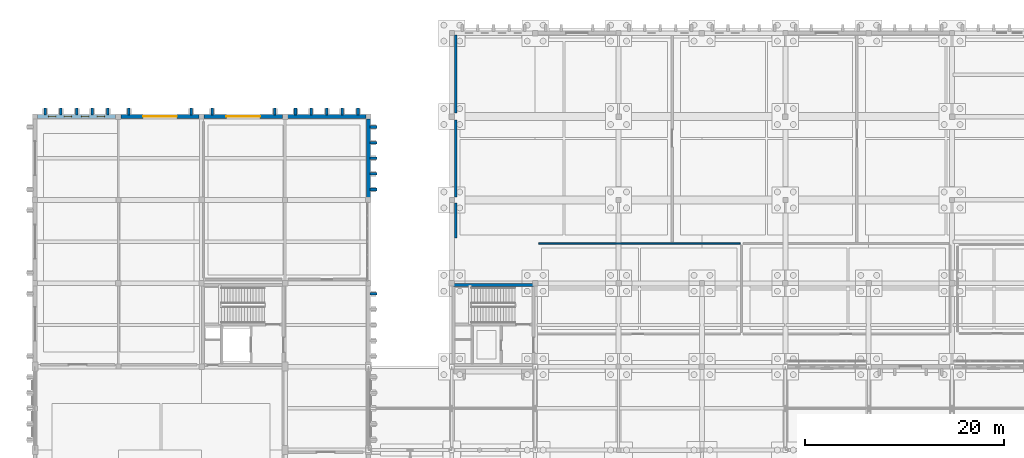
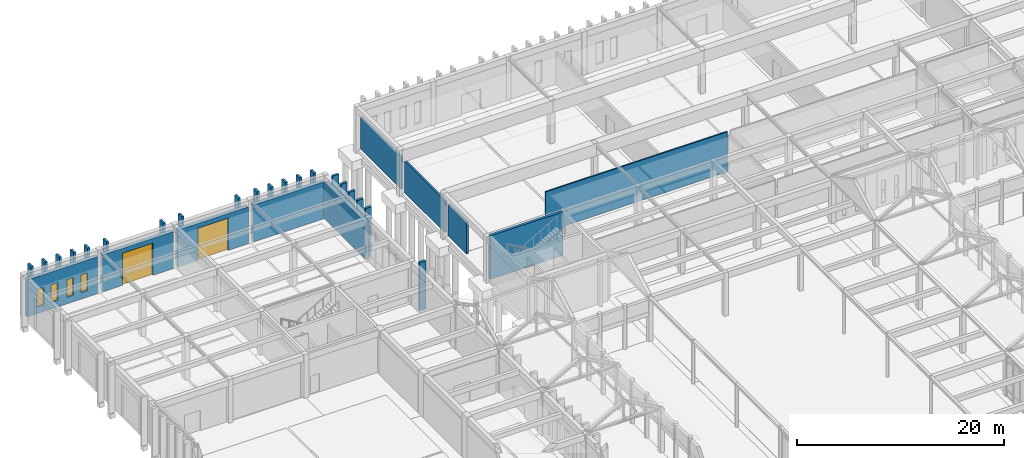
# One storey, part 117 of 143: 30 walls, 4 windows, 2 doors, 6 openings.
"""IFC4 building model written with IfcOpenShell, lengths in metres."""

from ifc_helpers import new_model, si_unit, direction, frame, frame_2d, origin, place, context, subcontext, project, spatial, rectangle, extrude, material, layer, layer_set, type_object, element, fill, save


model = new_model("IFC4")

# Units and contexts
model_context = context("Model", 3, precision=1e-05, world=origin(), true_north=direction((0.0, 1.0)))
body_context = subcontext(model_context, "Body", "Model", "MODEL_VIEW")
ifc_project = project(units=[si_unit("LENGTHUNIT", "METRE"), si_unit("AREAUNIT", "SQUARE_METRE"), si_unit("VOLUMEUNIT", "CUBIC_METRE"), si_unit("PLANEANGLEUNIT", "RADIAN"), si_unit("MASSUNIT", "GRAM", prefix="KILO")], contexts=[model_context])

# Site, building, storey
site_placement = place(None, origin())
site = spatial("IfcSite", under=ifc_project, at=site_placement, CompositionType="ELEMENT")
building_placement = place(site_placement, origin())
building = spatial("IfcBuilding", under=site, at=building_placement, Name="Kveldsbrygga Polytechnic", CompositionType="ELEMENT")
storey_placement = place(building_placement, origin())
storey = spatial("IfcBuildingStorey", under=building, at=storey_placement, Name="L00", CompositionType="ELEMENT", Elevation=0.0)

# Wall, openings, windows
ifc_material_1 = material(Name="Fired clay brick masonry M10", Category="masonry")
ifc_layer_1 = layer(ifc_material_1, 0.419921875)
ifc_layer_set_1 = layer_set([ifc_layer_1], Name="Fired clay brick masonry M10")
wall_type_1 = type_object("IfcWallType", Name="EW-BRICK-420", PredefinedType="SOLIDWALL", material=ifc_layer_set_1)
wall_1_placement = place(storey_placement, frame((0.2451171875, 109.199951171875, 0.0), z_axis=(0.0, 0.0, 1.0), x_axis=(1.0, 0.0, 0.0)))
wall_1 = element("IfcWall", 1, at=wall_1_placement, inside=storey, type_object=wall_type_1, Name="Exterior Brick Wall EW-L00-X-00-13", PredefinedType="SOLIDWALL", context=body_context, shape_type="SweptSolid", body=[
    extrude(rectangle(XDim=7.894775390625, YDim=0.419921875, at=frame_2d((3.947265625, 0.0))), origin(), (0.0, 0.0, 1.0), 4.35009765625),
])
opening_1_placement = place(wall_1_placement, frame((1.125, 0.0, 0.75)))
opening_1 = element("IfcOpeningElement", 2, at=opening_1_placement, cuts=wall_1, Name="Opening W-27", PredefinedType="OPENING", context=body_context, shape_type="SweptSolid", body=[
    extrude(rectangle(XDim=0.75, YDim=2.10009765625, at=frame_2d((0.375, 1.050048828125))), frame((0.0, 0.219970703125, 0.0), z_axis=(0.0, -1.0, 0.0), x_axis=(1.0, 0.0, 0.0)), (0.0, 0.0, 1.0), 0.43994140625),
])
opening_2_placement = place(wall_1_placement, frame((2.7041015625, 0.0, 0.75)))
opening_2 = element("IfcOpeningElement", 3, at=opening_2_placement, cuts=wall_1, Name="Opening W-27", PredefinedType="OPENING", context=body_context, shape_type="SweptSolid", body=[
    extrude(rectangle(XDim=0.75, YDim=2.10009765625, at=frame_2d((0.375, 1.050048828125))), frame((0.0, 0.219970703125, 0.0), z_axis=(0.0, -1.0, 0.0), x_axis=(1.0, 0.0, 0.0)), (0.0, 0.0, 1.0), 0.43994140625),
])
opening_3_placement = place(wall_1_placement, frame((4.44091796875, 0.0, 0.75)))
opening_3 = element("IfcOpeningElement", 4, at=opening_3_placement, cuts=wall_1, Name="Opening W-27", PredefinedType="OPENING", context=body_context, shape_type="SweptSolid", body=[
    extrude(rectangle(XDim=0.75, YDim=2.10009765625, at=frame_2d((0.375, 1.050048828125))), frame((0.0, 0.219970703125, 0.0), z_axis=(0.0, -1.0, 0.0), x_axis=(1.0, 0.0, 0.0)), (0.0, 0.0, 1.0), 0.43994140625),
])
opening_4_placement = place(wall_1_placement, frame((6.02001953125, 0.0, 0.75)))
opening_4 = element("IfcOpeningElement", 5, at=opening_4_placement, cuts=wall_1, Name="Opening W-27", PredefinedType="OPENING", context=body_context, shape_type="SweptSolid", body=[
    extrude(rectangle(XDim=0.75, YDim=2.10009765625, at=frame_2d((0.375, 1.050048828125))), frame((0.0, 0.219970703125, 0.0), z_axis=(0.0, -1.0, 0.0), x_axis=(1.0, 0.0, 0.0)), (0.0, 0.0, 1.0), 0.43994140625),
])
ifc_material_2 = material(Name="Insulated triple low-E glass", Category="glass")
window_type = type_object("IfcWindowType", Name="WN-ATTIC-075x210", PartitioningType="DOUBLE_PANEL_VERTICAL", PredefinedType="WINDOW", material=ifc_material_2)
window_1_placement = place(opening_1_placement, origin())
window_1 = element("IfcWindow", 6, at=window_1_placement, inside=storey, type_object=window_type, Name="Gothic Lancet Window WIN-L00-X-00-13-1", OverallHeight=2.10009765625, OverallWidth=0.75, PartitioningType="DOUBLE_PANEL_VERTICAL", PredefinedType="WINDOW", context=body_context, shape_type="SweptSolid", body=[
    extrude(rectangle(XDim=0.75, YDim=2.10009765625, at=frame_2d((0.375, 1.050048828125))), frame((0.0, 0.030029296875, 0.0), z_axis=(0.0, -1.0, 0.0), x_axis=(1.0, 0.0, 0.0)), (0.0, 0.0, 1.0), 0.06005859375),
])
fill(opening_1, window_1)
window_2_placement = place(opening_2_placement, origin())
window_2 = element("IfcWindow", 7, at=window_2_placement, inside=storey, type_object=window_type, Name="Gothic Lancet Window WIN-L00-X-00-13-2", OverallHeight=2.10009765625, OverallWidth=0.75, PartitioningType="DOUBLE_PANEL_VERTICAL", PredefinedType="WINDOW", context=body_context, shape_type="SweptSolid", body=[
    extrude(rectangle(XDim=0.75, YDim=2.10009765625, at=frame_2d((0.375, 1.050048828125))), frame((0.0, 0.030029296875, 0.0), z_axis=(0.0, -1.0, 0.0), x_axis=(1.0, 0.0, 0.0)), (0.0, 0.0, 1.0), 0.06005859375),
])
fill(opening_2, window_2)
window_3_placement = place(opening_3_placement, origin())
window_3 = element("IfcWindow", 8, at=window_3_placement, inside=storey, type_object=window_type, Name="Gothic Lancet Window WIN-L00-X-00-13-3", OverallHeight=2.10009765625, OverallWidth=0.75, PartitioningType="DOUBLE_PANEL_VERTICAL", PredefinedType="WINDOW", context=body_context, shape_type="SweptSolid", body=[
    extrude(rectangle(XDim=0.75, YDim=2.10009765625, at=frame_2d((0.375, 1.050048828125))), frame((0.0, 0.030029296875, 0.0), z_axis=(0.0, -1.0, 0.0), x_axis=(1.0, 0.0, 0.0)), (0.0, 0.0, 1.0), 0.06005859375),
])
fill(opening_3, window_3)
window_4_placement = place(opening_4_placement, origin())
window_4 = element("IfcWindow", 9, at=window_4_placement, inside=storey, type_object=window_type, Name="Gothic Lancet Window WIN-L00-X-00-13-4", OverallHeight=2.10009765625, OverallWidth=0.75, PartitioningType="DOUBLE_PANEL_VERTICAL", PredefinedType="WINDOW", context=body_context, shape_type="SweptSolid", body=[
    extrude(rectangle(XDim=0.75, YDim=2.10009765625, at=frame_2d((0.375, 1.050048828125))), frame((0.0, 0.030029296875, 0.0), z_axis=(0.0, -1.0, 0.0), x_axis=(1.0, 0.0, 0.0)), (0.0, 0.0, 1.0), 0.06005859375),
])
fill(opening_4, window_4)

# Wall, opening, door
wall_2_placement = place(storey_placement, frame((8.659912109375, 109.199951171875, 0.0), z_axis=(0.0, 0.0, 1.0), x_axis=(1.0, 0.0, 0.0)))
wall_2 = element("IfcWall", 10, at=wall_2_placement, inside=storey, type_object=wall_type_1, Name="Exterior Brick Wall EW-L00-X-01-13", PredefinedType="SOLIDWALL", context=body_context, shape_type="SweptSolid", body=[
    extrude(rectangle(XDim=7.89501953125, YDim=0.419921875, at=frame_2d((3.947509765625, 0.0))), origin(), (0.0, 0.0, 1.0), 4.35009765625),
])
opening_5_placement = place(wall_2_placement, frame((2.24755859375, 0.0, 0.0)))
opening_5 = element("IfcOpeningElement", 11, at=opening_5_placement, cuts=wall_2, Name="Opening WG-06", PredefinedType="OPENING", context=body_context, shape_type="SweptSolid", body=[
    extrude(rectangle(XDim=3.39990234375, YDim=3.800048828125, at=frame_2d((1.699951171875, 1.89990234375))), frame((0.0, 0.219970703125, 0.0), z_axis=(0.0, -1.0, 0.0), x_axis=(1.0, 0.0, 0.0)), (0.0, 0.0, 1.0), 0.43994140625),
])
ifc_material_3 = material(Name="Anodised aluminium AW-6060", Category="aluminium")
door_type = type_object("IfcDoorType", Name="GT-LOAD-340x380", OperationType="DOUBLE_DOOR_SINGLE_SWING", PredefinedType="GATE", material=ifc_material_3)
door_1_placement = place(opening_5_placement, origin())
door_1 = element("IfcDoor", 12, at=door_1_placement, inside=storey, type_object=door_type, Name="Workshop Industrial Gate WG-06", OperationType="DOUBLE_DOOR_SINGLE_SWING", OverallHeight=3.800048828125, OverallWidth=3.39990234375, PredefinedType="GATE", context=body_context, shape_type="SweptSolid", body=[
    extrude(rectangle(XDim=3.39990234375, YDim=3.800048828125, at=frame_2d((1.699951171875, 1.89990234375))), frame((0.0, 0.02490234375, 0.0), z_axis=(0.0, -1.0, 0.0), x_axis=(1.0, 0.0, 0.0)), (0.0, 0.0, 1.0), 0.050048828125),
])
fill(opening_5, door_1)

wall_3_placement = place(storey_placement, frame((17.044921875, 109.199951171875, 0.0), z_axis=(0.0, 0.0, 1.0), x_axis=(1.0, 0.0, 0.0)))
wall_3 = element("IfcWall", 13, at=wall_3_placement, inside=storey, type_object=wall_type_1, Name="Exterior Brick Wall EW-L00-X-02-13", PredefinedType="SOLIDWALL", context=body_context, shape_type="SweptSolid", body=[
    extrude(rectangle(XDim=7.89501953125, YDim=0.419921875, at=frame_2d((3.947509765625, 0.0))), origin(), (0.0, 0.0, 1.0), 4.35009765625),
])
opening_6_placement = place(wall_3_placement, frame((2.24755859375, 0.0, 0.0)))
opening_6 = element("IfcOpeningElement", 14, at=opening_6_placement, cuts=wall_3, Name="Opening WG-07", PredefinedType="OPENING", context=body_context, shape_type="SweptSolid", body=[
    extrude(rectangle(XDim=3.39990234375, YDim=3.800048828125, at=frame_2d((1.699951171875, 1.89990234375))), frame((0.0, 0.219970703125, 0.0), z_axis=(0.0, -1.0, 0.0), x_axis=(1.0, 0.0, 0.0)), (0.0, 0.0, 1.0), 0.43994140625),
])
door_2_placement = place(opening_6_placement, origin())
door_2 = element("IfcDoor", 15, at=door_2_placement, inside=storey, type_object=door_type, Name="Workshop Industrial Gate WG-07", OperationType="DOUBLE_DOOR_SINGLE_SWING", OverallHeight=3.800048828125, OverallWidth=3.39990234375, PredefinedType="GATE", context=body_context, shape_type="SweptSolid", body=[
    extrude(rectangle(XDim=3.39990234375, YDim=3.800048828125, at=frame_2d((1.699951171875, 1.89990234375))), frame((0.0, 0.02490234375, 0.0), z_axis=(0.0, -1.0, 0.0), x_axis=(1.0, 0.0, 0.0)), (0.0, 0.0, 1.0), 0.050048828125),
])
fill(opening_6, door_2)

# Walls
for number, where, z_axis, x_axis, name in (
    (16, (25.4599609375, 109.199951171875, 0.0), (0.0, 0.0, 1.0), (1.0, 0.0, 0.0), "Exterior Brick Wall EW-L00-X-03-13"),
    (17, (33.60009765625, 101.06005859375, 0.0), (0.0, 0.0, 1.0), (0.0, 1.0, 0.0), "Exterior Brick Wall EW-L00-Y-04-12"),
):
    element("IfcWall", number, at=place(storey_placement, frame(where, z_axis=z_axis, x_axis=x_axis)), inside=storey, type_object=wall_type_1, Name=name, PredefinedType="SOLIDWALL", context=body_context, shape_type="SweptSolid", body=[
        extrude(rectangle(XDim=7.89501953125, YDim=0.419921875, at=frame_2d((3.947509765625, 0.0))), origin(), (0.0, 0.0, 1.0), 4.35009765625),
    ])
ifc_layer_2 = layer(ifc_material_1, 0.260009765625)
ifc_layer_set_2 = layer_set([ifc_layer_2], Name="Fired clay brick masonry M10")
wall_type_2 = type_object("IfcWallType", Name="EW-BUTT-260", PredefinedType="SOLIDWALL", material=ifc_layer_set_2)
for number, where, z_axis, x_axis, name in (
    (18, (1.050048828125, 109.364990234375, -0.25), (0.0, 0.0, 1.0), (0.0, 1.0, 0.0), "Gothic Brick Buttress Pier BUTT-L00-X-00-13-1"),
    (19, (2.6201171875, 109.364990234375, -0.25), (0.0, 0.0, 1.0), (0.0, 1.0, 0.0), "Gothic Brick Buttress Pier BUTT-L00-X-00-13-2"),
    (20, (4.199951171875, 109.364990234375, -0.25), (0.0, 0.0, 1.0), (0.0, 1.0, 0.0), "Gothic Brick Buttress Pier BUTT-L00-X-00-13-3"),
    (21, (5.780029296875, 109.364990234375, -0.25), (0.0, 0.0, 1.0), (0.0, 1.0, 0.0), "Gothic Brick Buttress Pier BUTT-L00-X-00-13-4"),
    (22, (7.35009765625, 109.364990234375, -0.25), (0.0, 0.0, 1.0), (0.0, 1.0, 0.0), "Gothic Brick Buttress Pier BUTT-L00-X-00-13-5"),
    (23, (9.449951171875, 109.364990234375, -0.25), (0.0, 0.0, 1.0), (0.0, 1.0, 0.0), "Gothic Brick Buttress Pier BUTT-L00-X-01-13-1"),
    (24, (15.75, 109.364990234375, -0.25), (0.0, 0.0, 1.0), (0.0, 1.0, 0.0), "Gothic Brick Buttress Pier BUTT-L00-X-01-13-5"),
    (25, (17.85009765625, 109.364990234375, -0.25), (0.0, 0.0, 1.0), (0.0, 1.0, 0.0), "Gothic Brick Buttress Pier BUTT-L00-X-02-13-1"),
    (26, (24.14990234375, 109.364990234375, -0.25), (0.0, 0.0, 1.0), (0.0, 1.0, 0.0), "Gothic Brick Buttress Pier BUTT-L00-X-02-13-5"),
):
    element("IfcWall", number, at=place(storey_placement, frame(where, z_axis=z_axis, x_axis=x_axis)), inside=storey, type_object=wall_type_2, Name=name, PredefinedType="SOLIDWALL", context=body_context, shape_type="SweptSolid", body=[
        extrude(rectangle(XDim=0.699951171875, YDim=0.260009765625, at=frame_2d((0.35009765625, 0.0))), origin(), (0.0, 0.0, 1.0), 5.68994140625),
    ])
wall_4_placement = place(storey_placement, frame((33.764892578125, 91.35009765625, -0.25), z_axis=(0.0, 0.0, 1.0), x_axis=(1.0, 0.0, 0.0)))
element("IfcWall", 27, at=wall_4_placement, inside=storey, type_object=wall_type_2, Name="Gothic Brick Buttress Pier BUTT-L00-Y-04-10-5", PredefinedType="SOLIDWALL", context=body_context, shape_type="SweptSolid", body=[
    extrude(rectangle(XDim=0.7001953125, YDim=0.260009765625, at=frame_2d((0.35009765625, 0.0))), origin(), (0.0, 0.0, 1.0), 5.68994140625),
])
for number, where, z_axis, x_axis, name in (
    (28, (26.25, 109.364990234375, -0.25), (0.0, 0.0, 1.0), (0.0, 1.0, 0.0), "Gothic Brick Buttress Pier BUTT-L00-X-03-13-1"),
    (29, (27.820068359375, 109.364990234375, -0.25), (0.0, 0.0, 1.0), (0.0, 1.0, 0.0), "Gothic Brick Buttress Pier BUTT-L00-X-03-13-2"),
    (30, (29.39990234375, 109.364990234375, -0.25), (0.0, 0.0, 1.0), (0.0, 1.0, 0.0), "Gothic Brick Buttress Pier BUTT-L00-X-03-13-3"),
    (31, (30.97998046875, 109.364990234375, -0.25), (0.0, 0.0, 1.0), (0.0, 1.0, 0.0), "Gothic Brick Buttress Pier BUTT-L00-X-03-13-4"),
    (32, (32.550048828125, 109.364990234375, -0.25), (0.0, 0.0, 1.0), (0.0, 1.0, 0.0), "Gothic Brick Buttress Pier BUTT-L00-X-03-13-5"),
):
    element("IfcWall", number, at=place(storey_placement, frame(where, z_axis=z_axis, x_axis=x_axis)), inside=storey, type_object=wall_type_2, Name=name, PredefinedType="SOLIDWALL", context=body_context, shape_type="SweptSolid", body=[
        extrude(rectangle(XDim=0.699951171875, YDim=0.260009765625, at=frame_2d((0.35009765625, 0.0))), origin(), (0.0, 0.0, 1.0), 5.68994140625),
    ])
for number, where, z_axis, x_axis, name in (
    (33, (33.764892578125, 101.85009765625, -0.25), (0.0, 0.0, 1.0), (1.0, 0.0, 0.0), "Gothic Brick Buttress Pier BUTT-L00-Y-04-12-1"),
    (34, (33.764892578125, 103.419921875, -0.25), (0.0, 0.0, 1.0), (1.0, 0.0, 0.0), "Gothic Brick Buttress Pier BUTT-L00-Y-04-12-2"),
    (35, (33.764892578125, 105.0, -0.25), (0.0, 0.0, 1.0), (1.0, 0.0, 0.0), "Gothic Brick Buttress Pier BUTT-L00-Y-04-12-3"),
    (36, (33.764892578125, 106.580078125, -0.25), (0.0, 0.0, 1.0), (1.0, 0.0, 0.0), "Gothic Brick Buttress Pier BUTT-L00-Y-04-12-4"),
    (37, (33.764892578125, 108.14990234375, -0.25), (0.0, 0.0, 1.0), (1.0, 0.0, 0.0), "Gothic Brick Buttress Pier BUTT-L00-Y-04-12-5"),
):
    element("IfcWall", number, at=place(storey_placement, frame(where, z_axis=z_axis, x_axis=x_axis)), inside=storey, type_object=wall_type_2, Name=name, PredefinedType="SOLIDWALL", context=body_context, shape_type="SweptSolid", body=[
        extrude(rectangle(XDim=0.7001953125, YDim=0.260009765625, at=frame_2d((0.35009765625, 0.0))), origin(), (0.0, 0.0, 1.0), 5.68994140625),
    ])
ifc_layer_3 = layer(ifc_material_1, 0.219970703125)
ifc_layer_set_3 = layer_set([ifc_layer_3], Name="Fired clay brick masonry M10")
wall_type_3 = type_object("IfcWallType", Name="IW-ACOU-220", PredefinedType="PARTITIONING", material=ifc_layer_set_3)
wall_5_placement = place(storey_placement, frame((42.39990234375, 96.949951171875, 0.0), z_axis=(0.0, 0.0, 1.0), x_axis=(0.0, 1.0, 0.0)))
element("IfcWall", 38, at=wall_5_placement, inside=storey, type_object=wall_type_3, Name="Partition Wall IW-SP-L00-LT1-W1", PredefinedType="PARTITIONING", context=body_context, shape_type="SweptSolid", body=[
    extrude(rectangle(XDim=3.5400390625, YDim=0.219970703125, at=frame_2d((1.77001953125, 0.0))), origin(), (0.0, 0.0, 1.0), 3.739990234375),
])
wall_6_placement = place(storey_placement, frame((42.39990234375, 101.110107421875, 0.0), z_axis=(0.0, 0.0, 1.0), x_axis=(0.0, 1.0, 0.0)))
element("IfcWall", 39, at=wall_6_placement, inside=storey, type_object=wall_type_3, Name="Partition Wall IW-SP-L00-LT1-W2", PredefinedType="PARTITIONING", context=body_context, shape_type="SweptSolid", body=[
    extrude(rectangle(XDim=7.7548828125, YDim=0.219970703125, at=frame_2d((3.87744140625, 0.0))), origin(), (0.0, 0.0, 1.0), 3.739990234375),
])
wall_7_placement = place(storey_placement, frame((42.39990234375, 109.534912109375, 0.0), z_axis=(0.0, 0.0, 1.0), x_axis=(0.0, 1.0, 0.0)))
element("IfcWall", 40, at=wall_7_placement, inside=storey, type_object=wall_type_3, Name="Partition Wall IW-SP-L00-LT1-W3", PredefinedType="PARTITIONING", context=body_context, shape_type="SweptSolid", body=[
    extrude(rectangle(XDim=7.885009765625, YDim=0.219970703125, at=frame_2d((3.9423828125, 0.0))), origin(), (0.0, 0.0, 1.0), 3.739990234375),
])
ifc_material_4 = material(Name="Gypsum acoustic stud partition")
ifc_layer_4 = layer(ifc_material_4, 0.14990234375)
ifc_layer_set_4 = layer_set([ifc_layer_4], Name="Gypsum acoustic stud partition")
wall_type_4 = type_object("IfcWallType", Name="IW-SEM-150", PredefinedType="PARTITIONING", material=ifc_layer_set_4)
wall_8_placement = place(storey_placement, frame((50.75, 96.39990234375, 0.0), z_axis=(0.0, 0.0, 1.0), x_axis=(1.0, 0.0, 0.0)))
element("IfcWall", 41, at=wall_8_placement, inside=storey, type_object=wall_type_4, Name="Partition Wall IW-SP-L00-SEM01-N1", PredefinedType="PARTITIONING", context=body_context, shape_type="SweptSolid", body=[
    extrude(rectangle(XDim=20.300048828125, YDim=0.14990234375, at=frame_2d((10.14990234375, 0.0))), origin(), (0.0, 0.0, 1.0), 4.739990234375),
])
ifc_material_5 = material(Name="Concrete C45/55", Category="concrete")
ifc_layer_5 = layer(ifc_material_5, 0.300048828125)
ifc_layer_set_5 = layer_set([ifc_layer_5], Name="Concrete C45/55")
wall_type_5 = type_object("IfcWallType", Name="WL-CORE-300", PredefinedType="SHEAR", material=ifc_layer_set_5)
wall_9_placement = place(storey_placement, frame((42.14990234375, 92.25, 0.0), z_axis=(0.0, 0.0, 1.0), x_axis=(1.0, 0.0, 0.0)))
element("IfcWall", 42, at=wall_9_placement, inside=storey, type_object=wall_type_5, Name="Core C7 Shear Wall C7-L00-SW-N", PredefinedType="SHEAR", context=body_context, shape_type="SweptSolid", body=[
    extrude(rectangle(XDim=8.10009765625, YDim=0.300048828125, at=frame_2d((4.050048828125, 0.0))), origin(), (0.0, 0.0, 1.0), 5.139892578125),
])

save(model, "model.ifc")
